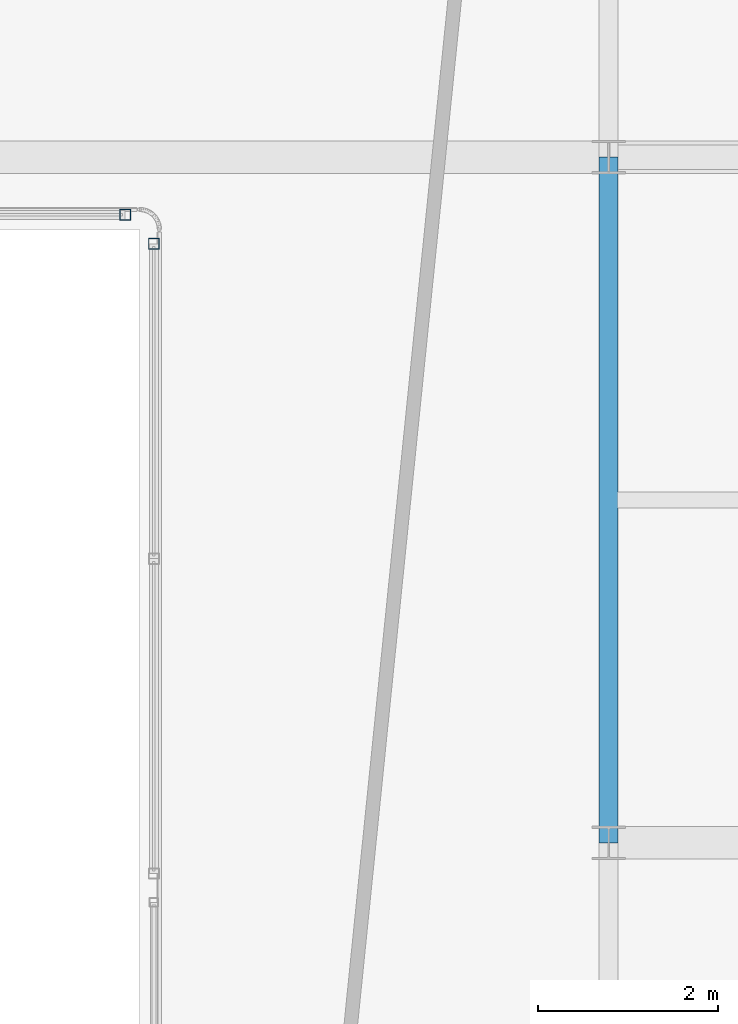
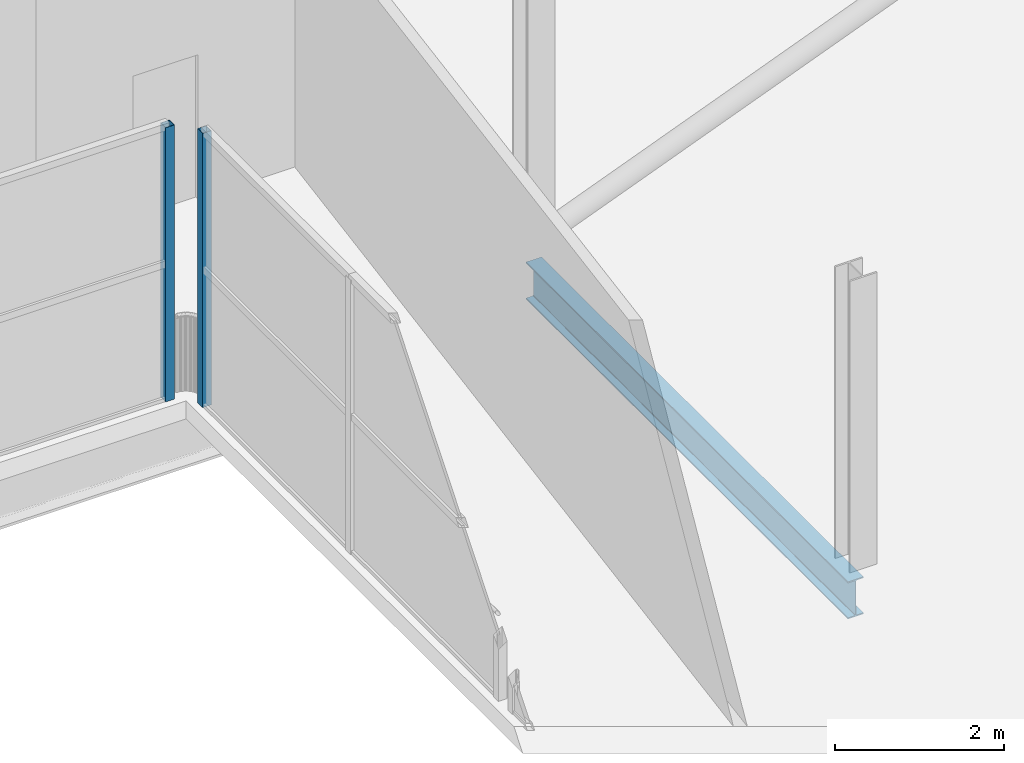
# One storey, part 155 of 217: 2 members, 1 beam, 2 elements without a shape of their own.
"""IFC4 building model written with IfcOpenShell, lengths in metres."""

from ifc_helpers import new_model, si_unit, direction, frame, origin, origin_2d, place, context, subcontext, project, spatial, hollow_rectangle, i_section, extrude, material, material_profile, profile_set, type_object, element, aggregate, save


model = new_model("IFC4")

# Units and contexts
model_context = context("Model", 3, precision=1e-05, world=origin(), true_north=direction((0.0, 1.0)))
body_context = subcontext(model_context, "Body", "Model", "MODEL_VIEW")
ifc_project = project(units=[si_unit("LENGTHUNIT", "METRE"), si_unit("AREAUNIT", "SQUARE_METRE"), si_unit("VOLUMEUNIT", "CUBIC_METRE"), si_unit("PLANEANGLEUNIT", "RADIAN"), si_unit("MASSUNIT", "GRAM", prefix="KILO")], contexts=[model_context])

# Site, building, storey
site_placement = place(None, origin())
site = spatial("IfcSite", under=ifc_project, at=site_placement, CompositionType="ELEMENT")
building_placement = place(site_placement, origin())
building = spatial("IfcBuilding", under=site, at=building_placement, Name="Zuvorla Pavilion Media Centre", CompositionType="ELEMENT")
storey_placement = place(building_placement, frame((0.0, 0.0, 9.60009765625)))
storey = spatial("IfcBuildingStorey", under=building, at=storey_placement, Name="L02", CompositionType="ELEMENT", Elevation=9.60009765625)

# Beam
ifc_material_1 = material(Name="Steel S355", Category="steel")
ifc_material_profile_1 = material_profile(ifc_material_1, i_section(OverallWidth=0.2099609375, OverallDepth=0.53662109375, WebThickness=0.0107421875, FlangeThickness=0.017333984375, FilletRadius=0.0126953125, at=origin_2d()), Name="UB 533x210x101")
ifc_profile_set_1 = profile_set([ifc_material_profile_1], Name="Steel S355")
beam_type = type_object("IfcBeamType", Name="BM-UB533", PredefinedType="BEAM", material=ifc_profile_set_1)
beam_placement = place(storey_placement, frame((159.199951171875, 74.39990234375, -0.536376953125), z_axis=(0.0, 1.0, 0.0), x_axis=(-1.0, 0.0, 0.0)))
element("IfcBeam", 1, at=beam_placement, inside=storey, type_object=beam_type, Name="L02 beam B08 975", PredefinedType="BEAM", context=body_context, shape_type="SweptSolid", body=[
    extrude(i_section(OverallWidth=0.2099609375, OverallDepth=0.53662109375, WebThickness=0.0107421875, FlangeThickness=0.017333984375, FilletRadius=0.0126953125, at=origin_2d()), origin(), (0.0, 0.0, 1.0), 7.60009765625),
])

# Curtain wall, member
ifc_material_2 = material(Name="Unitised anodised aluminium and solar glass curtain wall", Category="aluminium")
curtain_wall_type_1 = type_object("IfcCurtainWallType", Name="CW-SYS-35", PredefinedType="USERDEFINED", material=ifc_material_2)
curtain_wall_1_placement = place(storey_placement, origin())
curtain_wall_1 = element("IfcCurtainWall", 2, at=curtain_wall_1_placement, inside=storey, type_object=curtain_wall_type_1, Name="L02 curtain wall CW35 86", ObjectType="CURTAIN WALL", PredefinedType="USERDEFINED")
ifc_material_3 = material(Name="Anodised aluminium 6063-T6", Category="aluminium")
ifc_material_profile_2 = material_profile(ifc_material_3, hollow_rectangle(XDim=0.1201171875, YDim=0.1201171875, WallThickness=0.0048828125, at=origin_2d()), Name="ALU MULL 120x120")
ifc_profile_set_2 = profile_set([ifc_material_profile_2], Name="Anodised aluminium 6063-T6")
member_type = type_object("IfcMemberType", Name="CW-MULL-120", PredefinedType="MULLION", material=ifc_profile_set_2)
member_1_placement = place(storey_placement, frame((153.840087890625, 81.360107421875, 0.0), z_axis=(0.0, 0.0, 1.0), x_axis=(1.0, 0.0, 0.0)))
member_1 = element("IfcMember", 3, at=member_1_placement, type_object=member_type, Name="CW35 mullion 1", PredefinedType="MULLION", context=body_context, shape_type="SweptSolid", body=[
    extrude(hollow_rectangle(XDim=0.1201171875, YDim=0.1201171875, WallThickness=0.0048828125, at=origin_2d()), origin(), (0.0, 0.0, 1.0), 3.949951171875),
])
aggregate(curtain_wall_1, [member_1])

curtain_wall_type_2 = type_object("IfcCurtainWallType", Name="CW-SYS-24", PredefinedType="USERDEFINED", material=ifc_material_2)
curtain_wall_2_placement = place(storey_placement, origin())
curtain_wall_2 = element("IfcCurtainWall", 4, at=curtain_wall_2_placement, inside=storey, type_object=curtain_wall_type_2, Name="L02 curtain wall CW24 94", ObjectType="CURTAIN WALL", PredefinedType="USERDEFINED")
member_2_placement = place(storey_placement, frame((154.159912109375, 81.0400390625, 0.0), z_axis=(0.0, 0.0, 1.0), x_axis=(1.0, 0.0, 0.0)))
member_2 = element("IfcMember", 5, at=member_2_placement, type_object=member_type, Name="CW24 mullion 3", PredefinedType="MULLION", context=body_context, shape_type="SweptSolid", body=[
    extrude(hollow_rectangle(XDim=0.1201171875, YDim=0.1201171875, WallThickness=0.0048828125, at=origin_2d()), origin(), (0.0, 0.0, 1.0), 3.949951171875),
])
aggregate(curtain_wall_2, [member_2])

save(model, "model.ifc")
